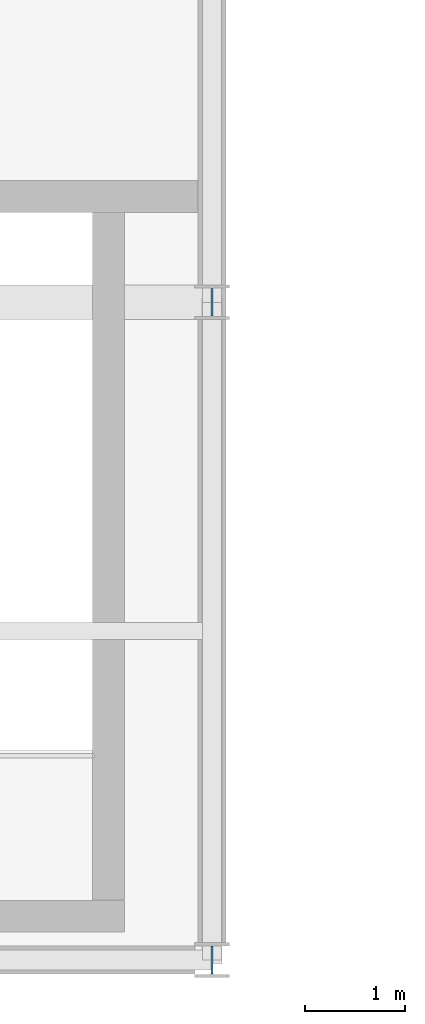
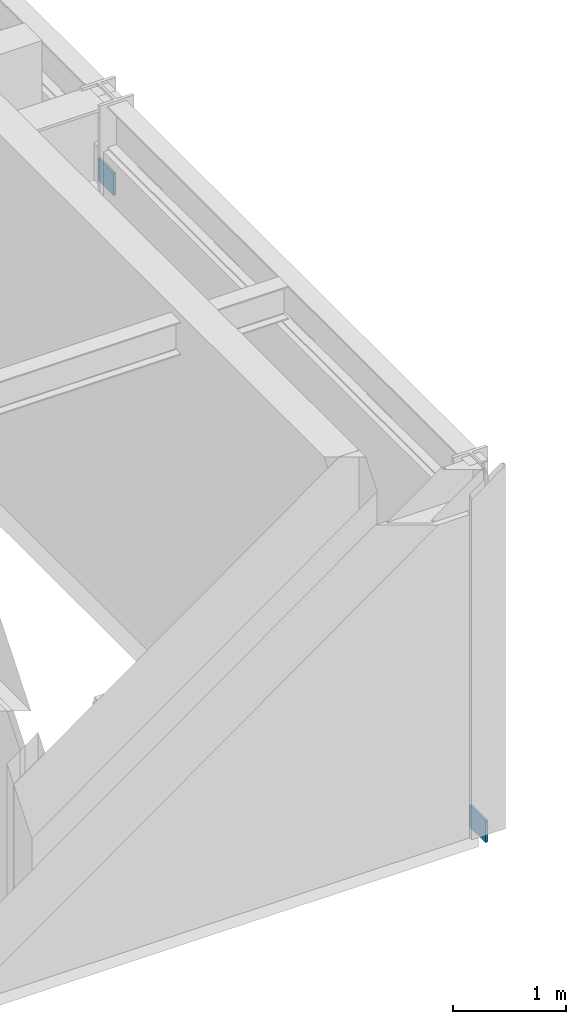
# One storey, part 108 of 147: 2 plates.
"""IFC4 building model written with IfcOpenShell, lengths in metres."""

import ifcopenshell
import ifcopenshell.guid

model = None  # the IFC model being written
_history = None  # IfcOwnerHistory: only IFC2X3 demands one
_inside = {}  # id of a spatial element -> (the spatial element, [elements in it])
_under = {}  # id of a project, library or spatial element -> (it, [spatial elements below it])
_declared = {}  # id of a project -> (the project, [libraries it declares])
_typed = {}  # id of a type object -> (the type object, [elements of that type])
_made_of = {}  # id of a material, layer set ... -> (it, [elements and type objects made of it])


def new_model(schema):
    """Start an empty IFC model of exactly this schema.

    Asked for "IFC4X3", IfcOpenShell would pick the latest addendum, in which some entities
    have other attributes; the version numbers below select the first issue.
    IFC2X3 requires an IfcOwnerHistory on every rooted entity: one is made here for all.
    """
    global model, _history
    if schema == "IFC4X3":
        model = ifcopenshell.file(schema_version=(4, 3, 0, 0))
    else:
        model = ifcopenshell.file(schema=schema)
    _inside.clear()
    _under.clear()
    _declared.clear()
    _typed.clear()
    _made_of.clear()
    _history = None
    if model.schema == "IFC2X3":
        org = make("IfcOrganization", Name="unknown")
        user = make(
            "IfcPersonAndOrganization",
            ThePerson=make("IfcPerson", FamilyName="unknown"),
            TheOrganization=org,
        )
        app = make(
            "IfcApplication",
            ApplicationDeveloper=org,
            Version="unknown",
            ApplicationFullName="unknown",
            ApplicationIdentifier="unknown",
        )
        _history = make(
            "IfcOwnerHistory",
            OwningUser=user,
            OwningApplication=app,
            ChangeAction="ADDED",
            CreationDate=0,
        )
    return model


def make(cls, **values):
    """One entity of the class cls with the attributes given. An attribute that is None is left unset."""
    return model.create_entity(
        cls, **{name: value for name, value in values.items() if value is not None}
    )


def rooted(cls, **values):
    """An entity with a GlobalId (a new one), such as an element, a storey or a relation."""
    return make(cls, GlobalId=ifcopenshell.guid.new(), OwnerHistory=_history, **values)


def si_unit(unit_type, name, prefix=None):
    """IfcSIUnit, for example si_unit("LENGTHUNIT", "METRE", prefix="MILLI")."""
    return make("IfcSIUnit", UnitType=unit_type, Prefix=prefix, Name=name)


def assignment(units):
    """IfcUnitAssignment: the units of a project."""
    return None if units is None else make("IfcUnitAssignment", Units=units)


def point(xyz):
    """IfcCartesianPoint."""
    return None if xyz is None else make("IfcCartesianPoint", Coordinates=xyz)


def direction(xyz):
    """IfcDirection."""
    return None if xyz is None else make("IfcDirection", DirectionRatios=xyz)


def frame(location, z_axis=None, x_axis=None):
    """IfcAxis2Placement3D, a coordinate frame: its origin and axes. An axis left out is left unset."""
    return make(
        "IfcAxis2Placement3D",
        Location=point(location),
        Axis=direction(z_axis),
        RefDirection=direction(x_axis),
    )


def frame_2d(location, x_axis=None):
    """IfcAxis2Placement2D, a coordinate frame in the plane: its origin and x axis."""
    return make(
        "IfcAxis2Placement2D", Location=point(location), RefDirection=direction(x_axis)
    )


def origin():
    """The frame at (0, 0, 0) with its axes left unset."""
    return frame((0.0, 0.0, 0.0))


def origin_2d():
    """The frame at (0, 0) in the plane with its x axis left unset."""
    return frame_2d((0.0, 0.0))


def place(relative_to, where):
    """IfcLocalPlacement: puts the frame where relative to a parent placement (None: the world)."""
    return make(
        "IfcLocalPlacement", PlacementRelTo=relative_to, RelativePlacement=where
    )


def context(
    kind, dimensions, precision=None, world=None, true_north=None, identifier=None
):
    """IfcGeometricRepresentationContext, for example the 3D "Model" context."""
    return make(
        "IfcGeometricRepresentationContext",
        ContextIdentifier=identifier,
        ContextType=kind,
        CoordinateSpaceDimension=dimensions,
        Precision=precision,
        WorldCoordinateSystem=world,
        TrueNorth=true_north,
    )


def subcontext(parent, identifier, kind, view, scale=None):
    """IfcGeometricRepresentationSubContext, for example "Body" below "Model"."""
    return make(
        "IfcGeometricRepresentationSubContext",
        ContextIdentifier=identifier,
        ContextType=kind,
        ParentContext=parent,
        TargetScale=scale,
        TargetView=view,
    )


def project(units=None, contexts=None):
    """IfcProject with its units and contexts."""
    return rooted(
        "IfcProject",
        Name="project",
        RepresentationContexts=contexts,
        UnitsInContext=assignment(units),
    )


def spatial(cls, under=None, at=None, **own):
    """A site, building, storey or space (cls), placed at a placement, below another one or the project."""
    s = rooted(cls, ObjectPlacement=at, **own)
    if under is not None:
        _under.setdefault(under.id(), (under, []))[1].append(s)
    return s


def profile(cls, at=None, kind="AREA", **sizes):
    """A parametric profile (cls). Its sizes go by their IFC names, for example OverallWidth=200.0."""
    return make(cls, ProfileType=kind, Position=at, **sizes)


def rectangle(**sizes):
    """IfcRectangleProfileDef."""
    return profile("IfcRectangleProfileDef", **sizes)


def extrude(swept, where, along, depth):
    """IfcExtrudedAreaSolid: the profile swept, set in the frame where, extruded along a direction by depth."""
    return make(
        "IfcExtrudedAreaSolid",
        SweptArea=swept,
        Position=where,
        ExtrudedDirection=direction(along),
        Depth=depth,
    )


def shape(context_of_items, identifier, shape_type, items):
    """IfcShapeRepresentation: the items that make up one representation, for example the "Body"."""
    return make(
        "IfcShapeRepresentation",
        ContextOfItems=context_of_items,
        RepresentationIdentifier=identifier,
        RepresentationType=shape_type,
        Items=items,
    )


def material(Name=None, Category=None):
    """IfcMaterial."""
    return make("IfcMaterial", Name=Name, Category=Category)


def layer(
    of_material, thickness, ventilated=None, Name=None, Category=None, Priority=None
):
    """IfcMaterialLayer: one layer of a wall or slab, of a material (None: an air gap)."""
    return make(
        "IfcMaterialLayer",
        Material=of_material,
        LayerThickness=thickness,
        IsVentilated=ventilated,
        Name=Name,
        Category=Category,
        Priority=Priority,
    )


def layer_set(layers, Name=None):
    """IfcMaterialLayerSet."""
    return make("IfcMaterialLayerSet", MaterialLayers=layers, LayerSetName=Name)


def made_of(thing, what):
    """Note that an element or type object is made of a material, layer set ...; save() writes the relation."""
    if what is not None:
        _made_of.setdefault(what.id(), (what, []))[1].append(thing)
    return thing


def type_object(cls, material=None, **own):
    """A type object (cls), such as IfcWallType, which elements share."""
    return made_of(rooted(cls, **own), material)


def element(
    cls,
    number,
    at=None,
    inside=None,
    cuts=None,
    type_object=None,
    material=None,
    context=None,
    identifier="Body",
    shape_type=None,
    held_by="IfcProductDefinitionShape",
    body=None,
    shapes=None,
    **own,
):
    """One element of the class cls, such as IfcWall. Its Tag is "e" and its number.

    at: its placement. inside: the storey or other place that contains it. cuts: it is an
    opening in that element (IfcRelVoidsElement). A single representation is given by context,
    identifier, shape_type and body (its items); several are given by shapes. held_by: the class
    of the entity that holds the representations. save() writes the other relations.
    """
    e = rooted(cls, Tag="e%d" % number, ObjectPlacement=at, **own)
    if body is not None:
        shapes = [shape(context, identifier, shape_type, body)]
    if shapes is not None:
        e.Representation = make(held_by, Representations=shapes)
    if inside is not None:
        _inside.setdefault(inside.id(), (inside, []))[1].append(e)
    if cuts is not None:
        rooted(
            "IfcRelVoidsElement", RelatingBuildingElement=cuts, RelatedOpeningElement=e
        )
    if type_object is not None:
        _typed.setdefault(type_object.id(), (type_object, []))[1].append(e)
    return made_of(e, material)


def aggregate(whole, parts):
    """IfcRelAggregates: a whole, such as a stair, and the parts it consists of."""
    return rooted("IfcRelAggregates", RelatingObject=whole, RelatedObjects=parts)


def save(model, path):
    """Write the relations noted so far, then the file.

    IfcRelAggregates (storeys below a building ...), IfcRelContainedInSpatialStructure (elements
    in a storey), IfcRelDefinesByType, IfcRelAssociatesMaterial and IfcRelDeclares: one each for
    every whole, place, type object, material and project.
    """
    for whole, parts in _under.values():
        aggregate(whole, parts)
    for where, things in _inside.values():
        rooted(
            "IfcRelContainedInSpatialStructure",
            RelatedElements=things,
            RelatingStructure=where,
        )
    for kind, things in _typed.values():
        rooted("IfcRelDefinesByType", RelatedObjects=things, RelatingType=kind)
    for what, things in _made_of.values():
        rooted("IfcRelAssociatesMaterial", RelatedObjects=things, RelatingMaterial=what)
    for by, libraries in _declared.values():
        rooted("IfcRelDeclares", RelatingContext=by, RelatedDefinitions=libraries)
    model.write(path)


model = new_model("IFC4")

# Units and contexts
model_context = context("Model", 3, precision=1e-05, world=origin(), true_north=direction((0.0, 1.0)))
body_context = subcontext(model_context, "Body", "Model", "MODEL_VIEW")
ifc_project = project(units=[si_unit("LENGTHUNIT", "METRE"), si_unit("AREAUNIT", "SQUARE_METRE"), si_unit("VOLUMEUNIT", "CUBIC_METRE"), si_unit("PLANEANGLEUNIT", "RADIAN"), si_unit("MASSUNIT", "GRAM", prefix="KILO")], contexts=[model_context])

# Site, building, storey
site_placement = place(None, origin())
site = spatial("IfcSite", under=ifc_project, at=site_placement, CompositionType="ELEMENT")
building_placement = place(site_placement, origin())
building = spatial("IfcBuilding", under=site, at=building_placement, Name="Karori Crest Natural Sciences Institute", CompositionType="ELEMENT")
storey_placement = place(building_placement, frame((0.0, 0.0, 9.10009765625)))
storey = spatial("IfcBuildingStorey", under=building, at=storey_placement, Name="L02", CompositionType="ELEMENT", Elevation=9.10009765625)

# Plates
ifc_material = material(Name="Structural steel AS/NZS 3679.1 Grade 350", Category="steel")
ifc_layer = layer(ifc_material, 0.02490234375, Name="Structural steel AS/NZS 3679.1 Grade 350")
ifc_layer_set = layer_set([ifc_layer], Name="Structural steel AS/NZS 3679.1 Grade 350")
plate_type = type_object("IfcPlateType", Name="PLT-06-EL", PredefinedType="SHEET", material=ifc_layer_set)
for number, where, z_axis, x_axis, name in (
    (1, (27.199951171875, 0.800048828125, -0.10986328125), (0.0, 0.0, 1.0), (0.0, 1.0, 0.0), "Brace gusset plate EP-0221"),
    (2, (27.199951171875, 7.39990234375, 2.90185546875), (0.0, 0.0, 1.0), (0.0, 1.0, 0.0), "Brace gusset plate EP-0222"),
):
    element("IfcPlate", number, at=place(storey_placement, frame(where, z_axis=z_axis, x_axis=x_axis)), inside=storey, type_object=plate_type, Name=name, PredefinedType="SHEET", context=body_context, shape_type="SweptSolid", body=[
        extrude(rectangle(XDim=0.280029296875, YDim=0.02490234375, at=origin_2d()), origin(), (0.0, 0.0, 1.0), 0.239990234375),
    ])

save(model, "model.ifc")
